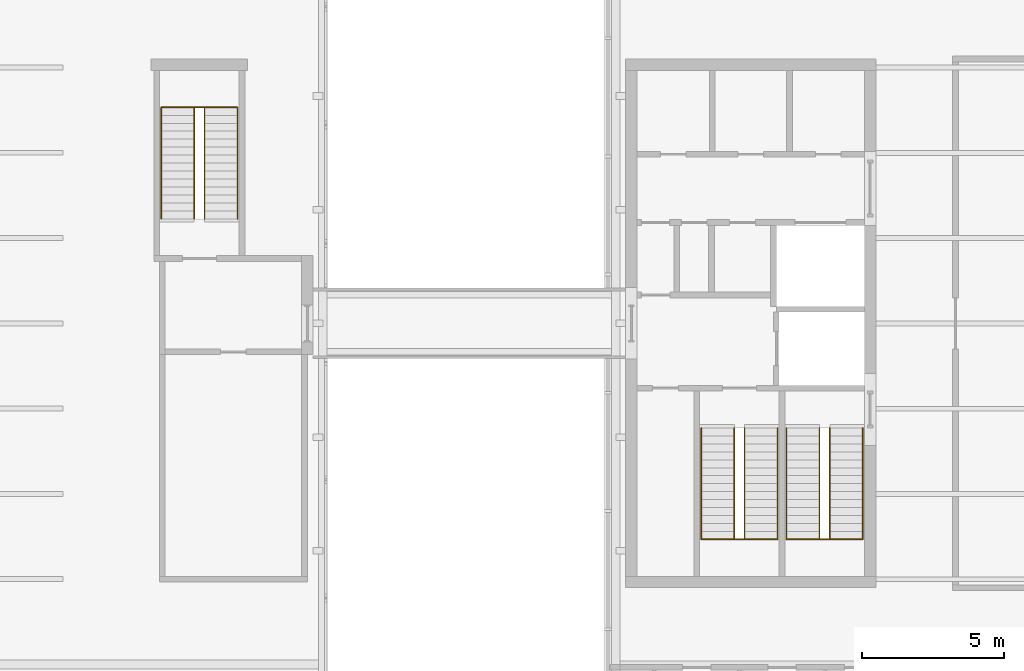
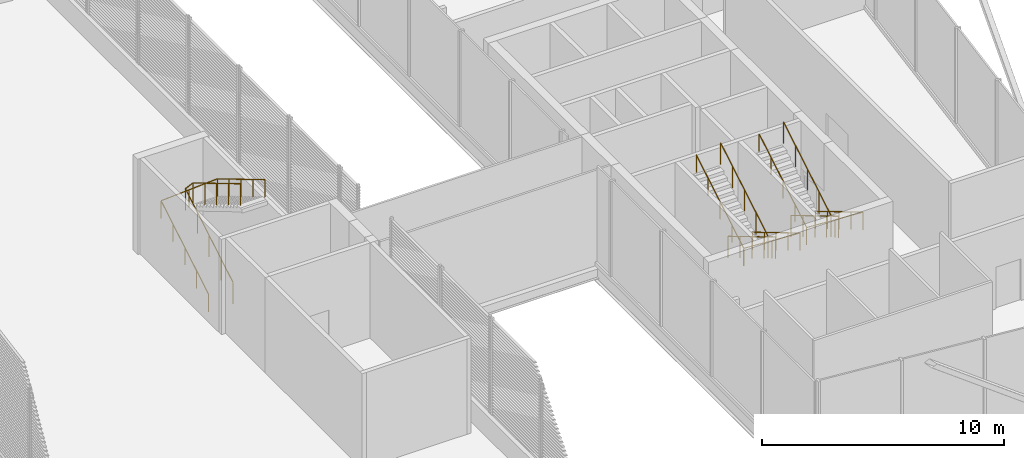
# One storey, part 15 of 15: 6 railings.
"""IFC4 building model written with IfcOpenShell, lengths in metres."""

import ifcopenshell
import ifcopenshell.guid

model = None  # the IFC model being written
_history = None  # IfcOwnerHistory: only IFC2X3 demands one
_inside = {}  # id of a spatial element -> (the spatial element, [elements in it])
_under = {}  # id of a project, library or spatial element -> (it, [spatial elements below it])
_declared = {}  # id of a project -> (the project, [libraries it declares])
_typed = {}  # id of a type object -> (the type object, [elements of that type])
_made_of = {}  # id of a material, layer set ... -> (it, [elements and type objects made of it])


def new_model(schema):
    """Start an empty IFC model of exactly this schema.

    Asked for "IFC4X3", IfcOpenShell would pick the latest addendum, in which some entities
    have other attributes; the version numbers below select the first issue.
    IFC2X3 requires an IfcOwnerHistory on every rooted entity: one is made here for all.
    """
    global model, _history
    if schema == "IFC4X3":
        model = ifcopenshell.file(schema_version=(4, 3, 0, 0))
    else:
        model = ifcopenshell.file(schema=schema)
    _inside.clear()
    _under.clear()
    _declared.clear()
    _typed.clear()
    _made_of.clear()
    _history = None
    if model.schema == "IFC2X3":
        org = make("IfcOrganization", Name="unknown")
        user = make(
            "IfcPersonAndOrganization",
            ThePerson=make("IfcPerson", FamilyName="unknown"),
            TheOrganization=org,
        )
        app = make(
            "IfcApplication",
            ApplicationDeveloper=org,
            Version="unknown",
            ApplicationFullName="unknown",
            ApplicationIdentifier="unknown",
        )
        _history = make(
            "IfcOwnerHistory",
            OwningUser=user,
            OwningApplication=app,
            ChangeAction="ADDED",
            CreationDate=0,
        )
    return model


def make(cls, **values):
    """One entity of the class cls with the attributes given. An attribute that is None is left unset."""
    return model.create_entity(
        cls, **{name: value for name, value in values.items() if value is not None}
    )


def rooted(cls, **values):
    """An entity with a GlobalId (a new one), such as an element, a storey or a relation."""
    return make(cls, GlobalId=ifcopenshell.guid.new(), OwnerHistory=_history, **values)


def si_unit(unit_type, name, prefix=None):
    """IfcSIUnit, for example si_unit("LENGTHUNIT", "METRE", prefix="MILLI")."""
    return make("IfcSIUnit", UnitType=unit_type, Prefix=prefix, Name=name)


def assignment(units):
    """IfcUnitAssignment: the units of a project."""
    return None if units is None else make("IfcUnitAssignment", Units=units)


def point(xyz):
    """IfcCartesianPoint."""
    return None if xyz is None else make("IfcCartesianPoint", Coordinates=xyz)


def direction(xyz):
    """IfcDirection."""
    return None if xyz is None else make("IfcDirection", DirectionRatios=xyz)


def frame(location, z_axis=None, x_axis=None):
    """IfcAxis2Placement3D, a coordinate frame: its origin and axes. An axis left out is left unset."""
    return make(
        "IfcAxis2Placement3D",
        Location=point(location),
        Axis=direction(z_axis),
        RefDirection=direction(x_axis),
    )


def frame_2d(location, x_axis=None):
    """IfcAxis2Placement2D, a coordinate frame in the plane: its origin and x axis."""
    return make(
        "IfcAxis2Placement2D", Location=point(location), RefDirection=direction(x_axis)
    )


def origin():
    """The frame at (0, 0, 0) with its axes left unset."""
    return frame((0.0, 0.0, 0.0))


def origin_2d():
    """The frame at (0, 0) in the plane with its x axis left unset."""
    return frame_2d((0.0, 0.0))


def place(relative_to, where):
    """IfcLocalPlacement: puts the frame where relative to a parent placement (None: the world)."""
    return make(
        "IfcLocalPlacement", PlacementRelTo=relative_to, RelativePlacement=where
    )


def context(
    kind, dimensions, precision=None, world=None, true_north=None, identifier=None
):
    """IfcGeometricRepresentationContext, for example the 3D "Model" context."""
    return make(
        "IfcGeometricRepresentationContext",
        ContextIdentifier=identifier,
        ContextType=kind,
        CoordinateSpaceDimension=dimensions,
        Precision=precision,
        WorldCoordinateSystem=world,
        TrueNorth=true_north,
    )


def subcontext(parent, identifier, kind, view, scale=None):
    """IfcGeometricRepresentationSubContext, for example "Body" below "Model"."""
    return make(
        "IfcGeometricRepresentationSubContext",
        ContextIdentifier=identifier,
        ContextType=kind,
        ParentContext=parent,
        TargetScale=scale,
        TargetView=view,
    )


def project(units=None, contexts=None):
    """IfcProject with its units and contexts."""
    return rooted(
        "IfcProject",
        Name="project",
        RepresentationContexts=contexts,
        UnitsInContext=assignment(units),
    )


def spatial(cls, under=None, at=None, **own):
    """A site, building, storey or space (cls), placed at a placement, below another one or the project."""
    s = rooted(cls, ObjectPlacement=at, **own)
    if under is not None:
        _under.setdefault(under.id(), (under, []))[1].append(s)
    return s


def profile(cls, at=None, kind="AREA", **sizes):
    """A parametric profile (cls). Its sizes go by their IFC names, for example OverallWidth=200.0."""
    return make(cls, ProfileType=kind, Position=at, **sizes)


def circle(**sizes):
    """IfcCircleProfileDef."""
    return profile("IfcCircleProfileDef", **sizes)


def extrude(swept, where, along, depth):
    """IfcExtrudedAreaSolid: the profile swept, set in the frame where, extruded along a direction by depth."""
    return make(
        "IfcExtrudedAreaSolid",
        SweptArea=swept,
        Position=where,
        ExtrudedDirection=direction(along),
        Depth=depth,
    )


def shape(context_of_items, identifier, shape_type, items):
    """IfcShapeRepresentation: the items that make up one representation, for example the "Body"."""
    return make(
        "IfcShapeRepresentation",
        ContextOfItems=context_of_items,
        RepresentationIdentifier=identifier,
        RepresentationType=shape_type,
        Items=items,
    )


def material(Name=None, Category=None):
    """IfcMaterial."""
    return make("IfcMaterial", Name=Name, Category=Category)


def made_of(thing, what):
    """Note that an element or type object is made of a material, layer set ...; save() writes the relation."""
    if what is not None:
        _made_of.setdefault(what.id(), (what, []))[1].append(thing)
    return thing


def type_object(cls, material=None, **own):
    """A type object (cls), such as IfcWallType, which elements share."""
    return made_of(rooted(cls, **own), material)


def element(
    cls,
    number,
    at=None,
    inside=None,
    cuts=None,
    type_object=None,
    material=None,
    context=None,
    identifier="Body",
    shape_type=None,
    held_by="IfcProductDefinitionShape",
    body=None,
    shapes=None,
    **own,
):
    """One element of the class cls, such as IfcWall. Its Tag is "e" and its number.

    at: its placement. inside: the storey or other place that contains it. cuts: it is an
    opening in that element (IfcRelVoidsElement). A single representation is given by context,
    identifier, shape_type and body (its items); several are given by shapes. held_by: the class
    of the entity that holds the representations. save() writes the other relations.
    """
    e = rooted(cls, Tag="e%d" % number, ObjectPlacement=at, **own)
    if body is not None:
        shapes = [shape(context, identifier, shape_type, body)]
    if shapes is not None:
        e.Representation = make(held_by, Representations=shapes)
    if inside is not None:
        _inside.setdefault(inside.id(), (inside, []))[1].append(e)
    if cuts is not None:
        rooted(
            "IfcRelVoidsElement", RelatingBuildingElement=cuts, RelatedOpeningElement=e
        )
    if type_object is not None:
        _typed.setdefault(type_object.id(), (type_object, []))[1].append(e)
    return made_of(e, material)


def aggregate(whole, parts):
    """IfcRelAggregates: a whole, such as a stair, and the parts it consists of."""
    return rooted("IfcRelAggregates", RelatingObject=whole, RelatedObjects=parts)


def save(model, path):
    """Write the relations noted so far, then the file.

    IfcRelAggregates (storeys below a building ...), IfcRelContainedInSpatialStructure (elements
    in a storey), IfcRelDefinesByType, IfcRelAssociatesMaterial and IfcRelDeclares: one each for
    every whole, place, type object, material and project.
    """
    for whole, parts in _under.values():
        aggregate(whole, parts)
    for where, things in _inside.values():
        rooted(
            "IfcRelContainedInSpatialStructure",
            RelatedElements=things,
            RelatingStructure=where,
        )
    for kind, things in _typed.values():
        rooted("IfcRelDefinesByType", RelatedObjects=things, RelatingType=kind)
    for what, things in _made_of.values():
        rooted("IfcRelAssociatesMaterial", RelatedObjects=things, RelatingMaterial=what)
    for by, libraries in _declared.values():
        rooted("IfcRelDeclares", RelatingContext=by, RelatedDefinitions=libraries)
    model.write(path)


model = new_model("IFC4")

# Units and contexts
model_context = context("Model", 3, precision=1e-05, world=origin(), true_north=direction((0.0, 1.0)))
body_context = subcontext(model_context, "Body", "Model", "MODEL_VIEW")
ifc_project = project(units=[si_unit("LENGTHUNIT", "METRE"), si_unit("AREAUNIT", "SQUARE_METRE"), si_unit("VOLUMEUNIT", "CUBIC_METRE"), si_unit("PLANEANGLEUNIT", "RADIAN"), si_unit("MASSUNIT", "GRAM", prefix="KILO")], contexts=[model_context])

# Site, building, storey
site_placement = place(None, origin())
site = spatial("IfcSite", under=ifc_project, at=site_placement, CompositionType="ELEMENT")
building_placement = place(site_placement, origin())
building = spatial("IfcBuilding", under=site, at=building_placement, Name="Millrace Tower", CompositionType="ELEMENT")
storey_placement = place(building_placement, frame((0.0, 0.0, 352.10009765625)))
storey = spatial("IfcBuildingStorey", under=building, at=storey_placement, Name="L81", CompositionType="ELEMENT", Elevation=352.10009765625)

# Railings
ifc_material_1 = material(Name="Stainless steel ASTM A240 type 316", Category="steel")
railing_type_1 = type_object("IfcRailingType", Name="Stair guard 1100", PredefinedType="GUARDRAIL", material=ifc_material_1)
railing_1_placement = place(storey_placement, frame((-9.679931640625, 3.679931640625, 0.16650390625)))
element("IfcRailing", 1, at=railing_1_placement, inside=storey, type_object=railing_type_1, Name="Stair guard 2 W L81", PredefinedType="GUARDRAIL", context=body_context, shape_type="SweptSolid", body=[
    extrude(circle(Radius=0.02392578125, at=origin_2d()), frame((0.0, 0.0, 1.076171875), z_axis=(0.0, 0.859286724212, 0.511494208758), x_axis=(-1.0, 0.0, 0.0)), (0.0, 0.0, 1.0), 4.56201171875),
    extrude(circle(Radius=0.02392578125, at=origin_2d()), frame((0.0, 3.920166015625, 3.40966796875), z_axis=(0.907562518381, 0.0, 0.419916986117), x_axis=(0.0, 1.0, 0.0)), (0.0, 0.0, 1.0), 0.396484375),
    extrude(circle(Radius=0.02392578125, at=origin_2d()), frame((0.35986328125, 3.920166015625, 3.576171875), z_axis=(0.0, -0.859286724212, 0.511494208758), x_axis=(1.0, 0.0, 0.0)), (0.0, 0.0, 1.0), 4.56201171875),
    extrude(circle(Radius=0.02099609375, at=origin_2d()), origin(), (0.0, 0.0, 1.0), 1.052001953125),
    extrude(circle(Radius=0.02099609375, at=origin_2d()), frame((0.0, 0.97998046875, 0.58349609375)), (0.0, 0.0, 1.0), 1.052001953125),
    extrude(circle(Radius=0.02099609375, at=origin_2d()), frame((0.0, 1.9599609375, 1.166748046875)), (0.0, 0.0, 1.0), 1.052001953125),
    extrude(circle(Radius=0.02099609375, at=origin_2d()), frame((0.0, 2.940185546875, 1.75)), (0.0, 0.0, 1.0), 1.052001953125),
    extrude(circle(Radius=0.02099609375, at=origin_2d()), frame((0.0, 3.920166015625, 2.33349609375)), (0.0, 0.0, 1.0), 1.052001953125),
    extrude(circle(Radius=0.02099609375, at=origin_2d()), frame((0.35986328125, 3.920166015625, 2.5)), (0.0, 0.0, 1.0), 1.052001953125),
    extrude(circle(Radius=0.02099609375, at=origin_2d()), frame((0.35986328125, 2.940185546875, 3.08349609375)), (0.0, 0.0, 1.0), 1.052001953125),
    extrude(circle(Radius=0.02099609375, at=origin_2d()), frame((0.35986328125, 1.9599609375, 3.666748046875)), (0.0, 0.0, 1.0), 1.052001953125),
    extrude(circle(Radius=0.02099609375, at=origin_2d()), frame((0.35986328125, 0.97998046875, 4.25)), (0.0, 0.0, 1.0), 1.052001953125),
    extrude(circle(Radius=0.02099609375, at=origin_2d()), frame((0.35986328125, 0.0, 4.83349609375)), (0.0, 0.0, 1.0), 1.052001953125),
])
railing_2_placement = place(storey_placement, frame((12.679931640625, -3.679931640625, 0.16650390625)))
element("IfcRailing", 2, at=railing_2_placement, inside=storey, type_object=railing_type_1, Name="Stair guard 1 E L81", PredefinedType="GUARDRAIL", context=body_context, shape_type="SweptSolid", body=[
    extrude(circle(Radius=0.02392578125, at=origin_2d()), frame((0.0, 0.0, 1.076171875), z_axis=(0.0, -0.859286724212, 0.511494208758), x_axis=(1.0, 0.0, 0.0)), (0.0, 0.0, 1.0), 4.56201171875),
    extrude(circle(Radius=0.02392578125, at=origin_2d()), frame((0.0, -3.920166015625, 3.40966796875), z_axis=(-0.907562518381, 0.0, 0.419916986117), x_axis=(0.0, -1.0, 0.0)), (0.0, 0.0, 1.0), 0.396484375),
    extrude(circle(Radius=0.02392578125, at=origin_2d()), frame((-0.35986328125, -3.920166015625, 3.576171875), z_axis=(0.0, 0.859286724212, 0.511494208758), x_axis=(-1.0, 0.0, 0.0)), (0.0, 0.0, 1.0), 4.56201171875),
    extrude(circle(Radius=0.02099609375, at=origin_2d()), origin(), (0.0, 0.0, 1.0), 1.052001953125),
    extrude(circle(Radius=0.02099609375, at=origin_2d()), frame((0.0, -0.97998046875, 0.58349609375)), (0.0, 0.0, 1.0), 1.052001953125),
    extrude(circle(Radius=0.02099609375, at=origin_2d()), frame((0.0, -1.9599609375, 1.166748046875)), (0.0, 0.0, 1.0), 1.052001953125),
    extrude(circle(Radius=0.02099609375, at=origin_2d()), frame((0.0, -2.940185546875, 1.75)), (0.0, 0.0, 1.0), 1.052001953125),
    extrude(circle(Radius=0.02099609375, at=origin_2d()), frame((0.0, -3.920166015625, 2.33349609375)), (0.0, 0.0, 1.0), 1.052001953125),
    extrude(circle(Radius=0.02099609375, at=origin_2d()), frame((-0.35986328125, -3.920166015625, 2.5)), (0.0, 0.0, 1.0), 1.052001953125),
    extrude(circle(Radius=0.02099609375, at=origin_2d()), frame((-0.35986328125, -2.940185546875, 3.08349609375)), (0.0, 0.0, 1.0), 1.052001953125),
    extrude(circle(Radius=0.02099609375, at=origin_2d()), frame((-0.35986328125, -1.9599609375, 3.666748046875)), (0.0, 0.0, 1.0), 1.052001953125),
    extrude(circle(Radius=0.02099609375, at=origin_2d()), frame((-0.35986328125, -0.97998046875, 4.25)), (0.0, 0.0, 1.0), 1.052001953125),
    extrude(circle(Radius=0.02099609375, at=origin_2d()), frame((-0.35986328125, 0.0, 4.83349609375)), (0.0, 0.0, 1.0), 1.052001953125),
])
railing_3_placement = place(storey_placement, frame((9.679931640625, -3.679931640625, 0.16650390625)))
element("IfcRailing", 3, at=railing_3_placement, inside=storey, type_object=railing_type_1, Name="Stair guard 2 E L81", PredefinedType="GUARDRAIL", context=body_context, shape_type="SweptSolid", body=[
    extrude(circle(Radius=0.02392578125, at=origin_2d()), frame((0.0, 0.0, 1.076171875), z_axis=(0.0, -0.859286724212, 0.511494208758), x_axis=(1.0, 0.0, 0.0)), (0.0, 0.0, 1.0), 4.56201171875),
    extrude(circle(Radius=0.02392578125, at=origin_2d()), frame((0.0, -3.920166015625, 3.40966796875), z_axis=(-0.907562518381, 0.0, 0.419916986117), x_axis=(0.0, -1.0, 0.0)), (0.0, 0.0, 1.0), 0.396484375),
    extrude(circle(Radius=0.02392578125, at=origin_2d()), frame((-0.35986328125, -3.920166015625, 3.576171875), z_axis=(0.0, 0.859286724212, 0.511494208758), x_axis=(-1.0, 0.0, 0.0)), (0.0, 0.0, 1.0), 4.56201171875),
    extrude(circle(Radius=0.02099609375, at=origin_2d()), origin(), (0.0, 0.0, 1.0), 1.052001953125),
    extrude(circle(Radius=0.02099609375, at=origin_2d()), frame((0.0, -0.97998046875, 0.58349609375)), (0.0, 0.0, 1.0), 1.052001953125),
    extrude(circle(Radius=0.02099609375, at=origin_2d()), frame((0.0, -1.9599609375, 1.166748046875)), (0.0, 0.0, 1.0), 1.052001953125),
    extrude(circle(Radius=0.02099609375, at=origin_2d()), frame((0.0, -2.940185546875, 1.75)), (0.0, 0.0, 1.0), 1.052001953125),
    extrude(circle(Radius=0.02099609375, at=origin_2d()), frame((0.0, -3.920166015625, 2.33349609375)), (0.0, 0.0, 1.0), 1.052001953125),
    extrude(circle(Radius=0.02099609375, at=origin_2d()), frame((-0.35986328125, -3.920166015625, 2.5)), (0.0, 0.0, 1.0), 1.052001953125),
    extrude(circle(Radius=0.02099609375, at=origin_2d()), frame((-0.35986328125, -2.940185546875, 3.08349609375)), (0.0, 0.0, 1.0), 1.052001953125),
    extrude(circle(Radius=0.02099609375, at=origin_2d()), frame((-0.35986328125, -1.9599609375, 3.666748046875)), (0.0, 0.0, 1.0), 1.052001953125),
    extrude(circle(Radius=0.02099609375, at=origin_2d()), frame((-0.35986328125, -0.97998046875, 4.25)), (0.0, 0.0, 1.0), 1.052001953125),
    extrude(circle(Radius=0.02099609375, at=origin_2d()), frame((-0.35986328125, 0.0, 4.83349609375)), (0.0, 0.0, 1.0), 1.052001953125),
])
ifc_material_2 = material(Name="Stainless steel ASTM A240 type 316", Category="steel")
railing_type_2 = type_object("IfcRailingType", Name="Stair handrail 900", PredefinedType="HANDRAIL", material=ifc_material_2)
railing_4_placement = place(storey_placement, frame((-10.840087890625, 3.679931640625, 0.16650390625)))
element("IfcRailing", 4, at=railing_4_placement, inside=storey, type_object=railing_type_2, Name="Stair handrail 2 W L81", PredefinedType="HANDRAIL", context=body_context, shape_type="SweptSolid", body=[
    extrude(circle(Radius=0.02392578125, at=origin_2d()), frame((0.0, 0.0, 0.8759765625), z_axis=(0.0, 0.859286724212, 0.511494208758), x_axis=(-1.0, 0.0, 0.0)), (0.0, 0.0, 1.0), 4.56201171875),
    extrude(circle(Radius=0.02392578125, at=origin_2d()), frame((0.0, 3.920166015625, 3.20947265625), z_axis=(0.998075856648, 0.0, 0.062004712537), x_axis=(0.0, 1.0, 0.0)), (0.0, 0.0, 1.0), 2.685302734375),
    extrude(circle(Radius=0.02392578125, at=origin_2d()), frame((2.68017578125, 3.920166015625, 3.3759765625), z_axis=(0.0, -0.859286724212, 0.511494208758), x_axis=(1.0, 0.0, 0.0)), (0.0, 0.0, 1.0), 4.56201171875),
    extrude(circle(Radius=0.02099609375, at=origin_2d()), origin(), (0.0, 0.0, 1.0), 0.851806640625),
    extrude(circle(Radius=0.02099609375, at=origin_2d()), frame((0.0, 0.97998046875, 0.58349609375)), (0.0, 0.0, 1.0), 0.851806640625),
    extrude(circle(Radius=0.02099609375, at=origin_2d()), frame((0.0, 1.9599609375, 1.166748046875)), (0.0, 0.0, 1.0), 0.851806640625),
    extrude(circle(Radius=0.02099609375, at=origin_2d()), frame((0.0, 2.940185546875, 1.75)), (0.0, 0.0, 1.0), 0.851806640625),
    extrude(circle(Radius=0.02099609375, at=origin_2d()), frame((0.0, 3.920166015625, 2.33349609375)), (0.0, 0.0, 1.0), 0.851806640625),
    extrude(circle(Radius=0.02099609375, at=origin_2d()), frame((1.340087890625, 3.920166015625, 2.416748046875)), (0.0, 0.0, 1.0), 0.851806640625),
    extrude(circle(Radius=0.02099609375, at=origin_2d()), frame((2.68017578125, 3.920166015625, 2.5)), (0.0, 0.0, 1.0), 0.851806640625),
    extrude(circle(Radius=0.02099609375, at=origin_2d()), frame((2.68017578125, 2.940185546875, 3.08349609375)), (0.0, 0.0, 1.0), 0.851806640625),
    extrude(circle(Radius=0.02099609375, at=origin_2d()), frame((2.68017578125, 1.9599609375, 3.666748046875)), (0.0, 0.0, 1.0), 0.851806640625),
    extrude(circle(Radius=0.02099609375, at=origin_2d()), frame((2.68017578125, 0.97998046875, 4.25)), (0.0, 0.0, 1.0), 0.851806640625),
    extrude(circle(Radius=0.02099609375, at=origin_2d()), frame((2.68017578125, 0.0, 4.83349609375)), (0.0, 0.0, 1.0), 0.851806640625),
])
railing_5_placement = place(storey_placement, frame((13.840087890625, -3.679931640625, 0.16650390625)))
element("IfcRailing", 5, at=railing_5_placement, inside=storey, type_object=railing_type_2, Name="Stair handrail 1 E L81", PredefinedType="HANDRAIL", context=body_context, shape_type="SweptSolid", body=[
    extrude(circle(Radius=0.02392578125, at=origin_2d()), frame((0.0, 0.0, 0.8759765625), z_axis=(0.0, -0.859286724212, 0.511494208758), x_axis=(1.0, 0.0, 0.0)), (0.0, 0.0, 1.0), 4.56201171875),
    extrude(circle(Radius=0.02392578125, at=origin_2d()), frame((0.0, -3.920166015625, 3.20947265625), z_axis=(-0.998075856648, 0.0, 0.062004712537), x_axis=(0.0, -1.0, 0.0)), (0.0, 0.0, 1.0), 2.685302734375),
    extrude(circle(Radius=0.02392578125, at=origin_2d()), frame((-2.68017578125, -3.920166015625, 3.3759765625), z_axis=(0.0, 0.859286724212, 0.511494208758), x_axis=(-1.0, 0.0, 0.0)), (0.0, 0.0, 1.0), 4.56201171875),
    extrude(circle(Radius=0.02099609375, at=origin_2d()), origin(), (0.0, 0.0, 1.0), 0.851806640625),
    extrude(circle(Radius=0.02099609375, at=origin_2d()), frame((0.0, -0.97998046875, 0.58349609375)), (0.0, 0.0, 1.0), 0.851806640625),
    extrude(circle(Radius=0.02099609375, at=origin_2d()), frame((0.0, -1.9599609375, 1.166748046875)), (0.0, 0.0, 1.0), 0.851806640625),
    extrude(circle(Radius=0.02099609375, at=origin_2d()), frame((0.0, -2.940185546875, 1.75)), (0.0, 0.0, 1.0), 0.851806640625),
    extrude(circle(Radius=0.02099609375, at=origin_2d()), frame((0.0, -3.920166015625, 2.33349609375)), (0.0, 0.0, 1.0), 0.851806640625),
    extrude(circle(Radius=0.02099609375, at=origin_2d()), frame((-1.340087890625, -3.920166015625, 2.416748046875)), (0.0, 0.0, 1.0), 0.851806640625),
    extrude(circle(Radius=0.02099609375, at=origin_2d()), frame((-2.68017578125, -3.920166015625, 2.5)), (0.0, 0.0, 1.0), 0.851806640625),
    extrude(circle(Radius=0.02099609375, at=origin_2d()), frame((-2.68017578125, -2.940185546875, 3.08349609375)), (0.0, 0.0, 1.0), 0.851806640625),
    extrude(circle(Radius=0.02099609375, at=origin_2d()), frame((-2.68017578125, -1.9599609375, 3.666748046875)), (0.0, 0.0, 1.0), 0.851806640625),
    extrude(circle(Radius=0.02099609375, at=origin_2d()), frame((-2.68017578125, -0.97998046875, 4.25)), (0.0, 0.0, 1.0), 0.851806640625),
    extrude(circle(Radius=0.02099609375, at=origin_2d()), frame((-2.68017578125, 0.0, 4.83349609375)), (0.0, 0.0, 1.0), 0.851806640625),
])
railing_6_placement = place(storey_placement, frame((10.840087890625, -3.679931640625, 0.16650390625)))
element("IfcRailing", 6, at=railing_6_placement, inside=storey, type_object=railing_type_2, Name="Stair handrail 2 E L81", PredefinedType="HANDRAIL", context=body_context, shape_type="SweptSolid", body=[
    extrude(circle(Radius=0.02392578125, at=origin_2d()), frame((0.0, 0.0, 0.8759765625), z_axis=(0.0, -0.859286724212, 0.511494208758), x_axis=(1.0, 0.0, 0.0)), (0.0, 0.0, 1.0), 4.56201171875),
    extrude(circle(Radius=0.02392578125, at=origin_2d()), frame((0.0, -3.920166015625, 3.20947265625), z_axis=(-0.998075856648, 0.0, 0.062004712537), x_axis=(0.0, -1.0, 0.0)), (0.0, 0.0, 1.0), 2.685302734375),
    extrude(circle(Radius=0.02392578125, at=origin_2d()), frame((-2.68017578125, -3.920166015625, 3.3759765625), z_axis=(0.0, 0.859286724212, 0.511494208758), x_axis=(-1.0, 0.0, 0.0)), (0.0, 0.0, 1.0), 4.56201171875),
    extrude(circle(Radius=0.02099609375, at=origin_2d()), origin(), (0.0, 0.0, 1.0), 0.851806640625),
    extrude(circle(Radius=0.02099609375, at=origin_2d()), frame((0.0, -0.97998046875, 0.58349609375)), (0.0, 0.0, 1.0), 0.851806640625),
    extrude(circle(Radius=0.02099609375, at=origin_2d()), frame((0.0, -1.9599609375, 1.166748046875)), (0.0, 0.0, 1.0), 0.851806640625),
    extrude(circle(Radius=0.02099609375, at=origin_2d()), frame((0.0, -2.940185546875, 1.75)), (0.0, 0.0, 1.0), 0.851806640625),
    extrude(circle(Radius=0.02099609375, at=origin_2d()), frame((0.0, -3.920166015625, 2.33349609375)), (0.0, 0.0, 1.0), 0.851806640625),
    extrude(circle(Radius=0.02099609375, at=origin_2d()), frame((-1.340087890625, -3.920166015625, 2.416748046875)), (0.0, 0.0, 1.0), 0.851806640625),
    extrude(circle(Radius=0.02099609375, at=origin_2d()), frame((-2.68017578125, -3.920166015625, 2.5)), (0.0, 0.0, 1.0), 0.851806640625),
    extrude(circle(Radius=0.02099609375, at=origin_2d()), frame((-2.68017578125, -2.940185546875, 3.08349609375)), (0.0, 0.0, 1.0), 0.851806640625),
    extrude(circle(Radius=0.02099609375, at=origin_2d()), frame((-2.68017578125, -1.9599609375, 3.666748046875)), (0.0, 0.0, 1.0), 0.851806640625),
    extrude(circle(Radius=0.02099609375, at=origin_2d()), frame((-2.68017578125, -0.97998046875, 4.25)), (0.0, 0.0, 1.0), 0.851806640625),
    extrude(circle(Radius=0.02099609375, at=origin_2d()), frame((-2.68017578125, 0.0, 4.83349609375)), (0.0, 0.0, 1.0), 0.851806640625),
])

save(model, "model.ifc")
